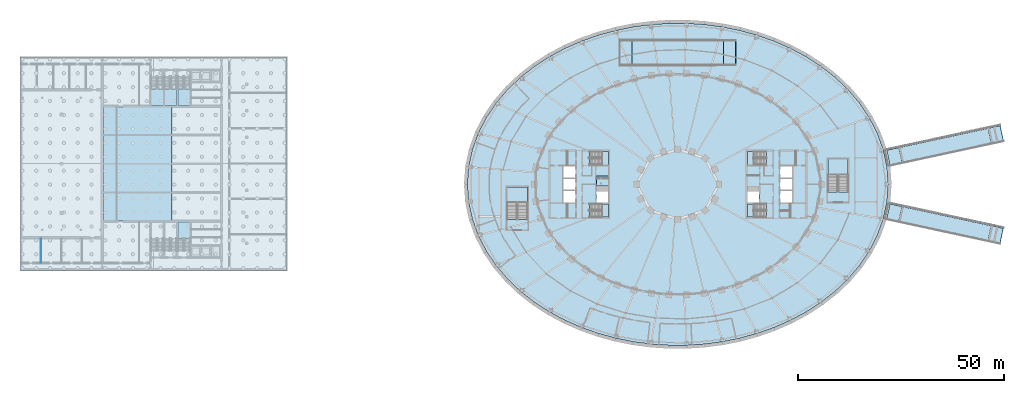
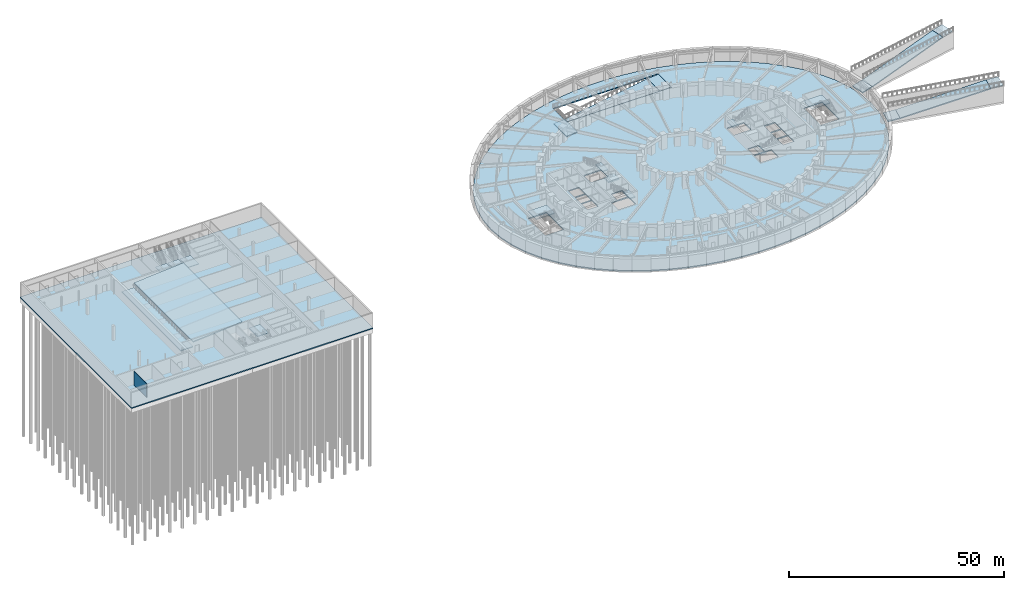
# One storey, part 10 of 32: 24 slabs, 1 wall, 10 elements without a shape of their own.
"""IFC4 building model written with IfcOpenShell, lengths in metres."""

import ifcopenshell
import ifcopenshell.guid

model = None  # the IFC model being written
_history = None  # IfcOwnerHistory: only IFC2X3 demands one
_inside = {}  # id of a spatial element -> (the spatial element, [elements in it])
_under = {}  # id of a project, library or spatial element -> (it, [spatial elements below it])
_declared = {}  # id of a project -> (the project, [libraries it declares])
_typed = {}  # id of a type object -> (the type object, [elements of that type])
_made_of = {}  # id of a material, layer set ... -> (it, [elements and type objects made of it])


def new_model(schema):
    """Start an empty IFC model of exactly this schema.

    Asked for "IFC4X3", IfcOpenShell would pick the latest addendum, in which some entities
    have other attributes; the version numbers below select the first issue.
    IFC2X3 requires an IfcOwnerHistory on every rooted entity: one is made here for all.
    """
    global model, _history
    if schema == "IFC4X3":
        model = ifcopenshell.file(schema_version=(4, 3, 0, 0))
    else:
        model = ifcopenshell.file(schema=schema)
    _inside.clear()
    _under.clear()
    _declared.clear()
    _typed.clear()
    _made_of.clear()
    _history = None
    if model.schema == "IFC2X3":
        org = make("IfcOrganization", Name="unknown")
        user = make(
            "IfcPersonAndOrganization",
            ThePerson=make("IfcPerson", FamilyName="unknown"),
            TheOrganization=org,
        )
        app = make(
            "IfcApplication",
            ApplicationDeveloper=org,
            Version="unknown",
            ApplicationFullName="unknown",
            ApplicationIdentifier="unknown",
        )
        _history = make(
            "IfcOwnerHistory",
            OwningUser=user,
            OwningApplication=app,
            ChangeAction="ADDED",
            CreationDate=0,
        )
    return model


def make(cls, **values):
    """One entity of the class cls with the attributes given. An attribute that is None is left unset."""
    return model.create_entity(
        cls, **{name: value for name, value in values.items() if value is not None}
    )


def rooted(cls, **values):
    """An entity with a GlobalId (a new one), such as an element, a storey or a relation."""
    return make(cls, GlobalId=ifcopenshell.guid.new(), OwnerHistory=_history, **values)


def si_unit(unit_type, name, prefix=None):
    """IfcSIUnit, for example si_unit("LENGTHUNIT", "METRE", prefix="MILLI")."""
    return make("IfcSIUnit", UnitType=unit_type, Prefix=prefix, Name=name)


def assignment(units):
    """IfcUnitAssignment: the units of a project."""
    return None if units is None else make("IfcUnitAssignment", Units=units)


def point(xyz):
    """IfcCartesianPoint."""
    return None if xyz is None else make("IfcCartesianPoint", Coordinates=xyz)


def direction(xyz):
    """IfcDirection."""
    return None if xyz is None else make("IfcDirection", DirectionRatios=xyz)


def frame(location, z_axis=None, x_axis=None):
    """IfcAxis2Placement3D, a coordinate frame: its origin and axes. An axis left out is left unset."""
    return make(
        "IfcAxis2Placement3D",
        Location=point(location),
        Axis=direction(z_axis),
        RefDirection=direction(x_axis),
    )


def frame_2d(location, x_axis=None):
    """IfcAxis2Placement2D, a coordinate frame in the plane: its origin and x axis."""
    return make(
        "IfcAxis2Placement2D", Location=point(location), RefDirection=direction(x_axis)
    )


def origin():
    """The frame at (0, 0, 0) with its axes left unset."""
    return frame((0.0, 0.0, 0.0))


def place(relative_to, where):
    """IfcLocalPlacement: puts the frame where relative to a parent placement (None: the world)."""
    return make(
        "IfcLocalPlacement", PlacementRelTo=relative_to, RelativePlacement=where
    )


def context(
    kind, dimensions, precision=None, world=None, true_north=None, identifier=None
):
    """IfcGeometricRepresentationContext, for example the 3D "Model" context."""
    return make(
        "IfcGeometricRepresentationContext",
        ContextIdentifier=identifier,
        ContextType=kind,
        CoordinateSpaceDimension=dimensions,
        Precision=precision,
        WorldCoordinateSystem=world,
        TrueNorth=true_north,
    )


def subcontext(parent, identifier, kind, view, scale=None):
    """IfcGeometricRepresentationSubContext, for example "Body" below "Model"."""
    return make(
        "IfcGeometricRepresentationSubContext",
        ContextIdentifier=identifier,
        ContextType=kind,
        ParentContext=parent,
        TargetScale=scale,
        TargetView=view,
    )


def project(units=None, contexts=None):
    """IfcProject with its units and contexts."""
    return rooted(
        "IfcProject",
        Name="project",
        RepresentationContexts=contexts,
        UnitsInContext=assignment(units),
    )


def spatial(cls, under=None, at=None, **own):
    """A site, building, storey or space (cls), placed at a placement, below another one or the project."""
    s = rooted(cls, ObjectPlacement=at, **own)
    if under is not None:
        _under.setdefault(under.id(), (under, []))[1].append(s)
    return s


def polyline(points):
    """IfcPolyline through the points."""
    return make("IfcPolyline", Points=[point(p) for p in points])


def profile(cls, at=None, kind="AREA", **sizes):
    """A parametric profile (cls). Its sizes go by their IFC names, for example OverallWidth=200.0."""
    return make(cls, ProfileType=kind, Position=at, **sizes)


def rectangle(**sizes):
    """IfcRectangleProfileDef."""
    return profile("IfcRectangleProfileDef", **sizes)


def outline(outer, holes=None, kind="AREA"):
    """IfcArbitraryClosedProfileDef: a profile drawn as a closed curve; with holes, ...WithVoids."""
    if holes is None:
        return make("IfcArbitraryClosedProfileDef", ProfileType=kind, OuterCurve=outer)
    return make(
        "IfcArbitraryProfileDefWithVoids",
        ProfileType=kind,
        OuterCurve=outer,
        InnerCurves=holes,
    )


def extrude(swept, where, along, depth):
    """IfcExtrudedAreaSolid: the profile swept, set in the frame where, extruded along a direction by depth."""
    return make(
        "IfcExtrudedAreaSolid",
        SweptArea=swept,
        Position=where,
        ExtrudedDirection=direction(along),
        Depth=depth,
    )


def shape(context_of_items, identifier, shape_type, items):
    """IfcShapeRepresentation: the items that make up one representation, for example the "Body"."""
    return make(
        "IfcShapeRepresentation",
        ContextOfItems=context_of_items,
        RepresentationIdentifier=identifier,
        RepresentationType=shape_type,
        Items=items,
    )


def material(Name=None, Category=None):
    """IfcMaterial."""
    return make("IfcMaterial", Name=Name, Category=Category)


def layer(
    of_material, thickness, ventilated=None, Name=None, Category=None, Priority=None
):
    """IfcMaterialLayer: one layer of a wall or slab, of a material (None: an air gap)."""
    return make(
        "IfcMaterialLayer",
        Material=of_material,
        LayerThickness=thickness,
        IsVentilated=ventilated,
        Name=Name,
        Category=Category,
        Priority=Priority,
    )


def layer_set(layers, Name=None):
    """IfcMaterialLayerSet."""
    return make("IfcMaterialLayerSet", MaterialLayers=layers, LayerSetName=Name)


def made_of(thing, what):
    """Note that an element or type object is made of a material, layer set ...; save() writes the relation."""
    if what is not None:
        _made_of.setdefault(what.id(), (what, []))[1].append(thing)
    return thing


def type_object(cls, material=None, **own):
    """A type object (cls), such as IfcWallType, which elements share."""
    return made_of(rooted(cls, **own), material)


def element(
    cls,
    number,
    at=None,
    inside=None,
    cuts=None,
    type_object=None,
    material=None,
    context=None,
    identifier="Body",
    shape_type=None,
    held_by="IfcProductDefinitionShape",
    body=None,
    shapes=None,
    **own,
):
    """One element of the class cls, such as IfcWall. Its Tag is "e" and its number.

    at: its placement. inside: the storey or other place that contains it. cuts: it is an
    opening in that element (IfcRelVoidsElement). A single representation is given by context,
    identifier, shape_type and body (its items); several are given by shapes. held_by: the class
    of the entity that holds the representations. save() writes the other relations.
    """
    e = rooted(cls, Tag="e%d" % number, ObjectPlacement=at, **own)
    if body is not None:
        shapes = [shape(context, identifier, shape_type, body)]
    if shapes is not None:
        e.Representation = make(held_by, Representations=shapes)
    if inside is not None:
        _inside.setdefault(inside.id(), (inside, []))[1].append(e)
    if cuts is not None:
        rooted(
            "IfcRelVoidsElement", RelatingBuildingElement=cuts, RelatedOpeningElement=e
        )
    if type_object is not None:
        _typed.setdefault(type_object.id(), (type_object, []))[1].append(e)
    return made_of(e, material)


def aggregate(whole, parts):
    """IfcRelAggregates: a whole, such as a stair, and the parts it consists of."""
    return rooted("IfcRelAggregates", RelatingObject=whole, RelatedObjects=parts)


def save(model, path):
    """Write the relations noted so far, then the file.

    IfcRelAggregates (storeys below a building ...), IfcRelContainedInSpatialStructure (elements
    in a storey), IfcRelDefinesByType, IfcRelAssociatesMaterial and IfcRelDeclares: one each for
    every whole, place, type object, material and project.
    """
    for whole, parts in _under.values():
        aggregate(whole, parts)
    for where, things in _inside.values():
        rooted(
            "IfcRelContainedInSpatialStructure",
            RelatedElements=things,
            RelatingStructure=where,
        )
    for kind, things in _typed.values():
        rooted("IfcRelDefinesByType", RelatedObjects=things, RelatingType=kind)
    for what, things in _made_of.values():
        rooted("IfcRelAssociatesMaterial", RelatedObjects=things, RelatingMaterial=what)
    for by, libraries in _declared.values():
        rooted("IfcRelDeclares", RelatingContext=by, RelatedDefinitions=libraries)
    model.write(path)


model = new_model("IFC4")

# Units and contexts
model_context = context("Model", 3, precision=1e-05, world=origin(), true_north=direction((0.0, 1.0)))
body_context = subcontext(model_context, "Body", "Model", "MODEL_VIEW")
ifc_project = project(units=[si_unit("LENGTHUNIT", "METRE"), si_unit("AREAUNIT", "SQUARE_METRE"), si_unit("VOLUMEUNIT", "CUBIC_METRE"), si_unit("PLANEANGLEUNIT", "RADIAN"), si_unit("MASSUNIT", "GRAM", prefix="KILO")], contexts=[model_context])

# Site, building, storey
site_placement = place(None, origin())
site = spatial("IfcSite", under=ifc_project, at=site_placement, CompositionType="ELEMENT")
building_placement = place(site_placement, origin())
building = spatial("IfcBuilding", under=site, at=building_placement, Name="Noorbagh Ring Tower", CompositionType="ELEMENT")
storey_placement = place(building_placement, frame((0.0, 0.0, -4.199951171875)))
storey = spatial("IfcBuildingStorey", under=building, at=storey_placement, Name="B1", CompositionType="ELEMENT", Elevation=-4.199951171875)

# Slab
ifc_material_1 = material(Name="Concrete C40/50", Category="concrete")
ifc_layer_1 = layer(ifc_material_1, 0.39990234375)
ifc_layer_set_1 = layer_set([ifc_layer_1], Name="Concrete C40/50")
slab_type_1 = type_object("IfcSlabType", Name="CORE-PIT-SLAB", PredefinedType="BASESLAB", material=ifc_layer_set_1)
slab_1_placement = place(storey_placement, frame((0.0, 0.0, 2.300048828125)))
element("IfcSlab", 1, at=slab_1_placement, inside=storey, type_object=slab_type_1, Name="Lift pit floor OB1", PredefinedType="BASESLAB", context=body_context, shape_type="SweptSolid", body=[
    extrude(outline(polyline([(-16.89990234375, 2.0), (-19.800048828125, 2.0), (-19.800048828125, -0.449951171875), (-16.89990234375, -0.449951171875), (-16.89990234375, 2.0)])), origin(), (0.0, 0.0, 1.0), 0.39990234375),
])

# Stair, slab
ifc_material_2 = material(Name="Concrete C40/50", Category="concrete")
stair_type_1 = type_object("IfcStairType", Name="CORE-STAIR", PredefinedType="HALF_TURN_STAIR", material=ifc_material_2)
stair_1_placement = place(storey_placement, origin())
stair_1 = element("IfcStair", 2, at=stair_1_placement, inside=storey, type_object=stair_type_1, Name="B1 Exit stair ST1", PredefinedType="HALF_TURN_STAIR")
ifc_material_3 = material(Name="Concrete C40/50", Category="concrete")
ifc_layer_2 = layer(ifc_material_3, 0.300048828125)
ifc_layer_set_2 = layer_set([ifc_layer_2], Name="Concrete C40/50")
slab_type_2 = type_object("IfcSlabType", Name="CORE-STAIR-LANDING", PredefinedType="LANDING", material=ifc_layer_set_2)
slab_2_placement = place(storey_placement, frame((0.0, 0.0, 1.800048828125)))
slab_2 = element("IfcSlab", 3, at=slab_2_placement, type_object=slab_type_2, Name="ST1 landing 1", PredefinedType="LANDING", context=body_context, shape_type="SweptSolid", body=[
    extrude(outline(polyline([(-18.449951171875, 4.75), (-16.89990234375, 4.75), (-16.89990234375, 8.0), (-18.449951171875, 8.0), (-18.449951171875, 4.75)])), origin(), (0.0, 0.0, 1.0), 0.2998046875),
])
aggregate(stair_1, [slab_2])

stair_2_placement = place(storey_placement, origin())
stair_2 = element("IfcStair", 4, at=stair_2_placement, inside=storey, type_object=stair_type_1, Name="B1 Exit stair ST2", PredefinedType="HALF_TURN_STAIR")
slab_3_placement = place(storey_placement, frame((0.0, 0.0, 1.800048828125)))
slab_3 = element("IfcSlab", 5, at=slab_3_placement, type_object=slab_type_2, Name="ST2 landing 1", PredefinedType="LANDING", context=body_context, shape_type="SweptSolid", body=[
    extrude(outline(polyline([(-18.449951171875, -8.0), (-16.89990234375, -8.0), (-16.89990234375, -4.75), (-18.449951171875, -4.75), (-18.449951171875, -8.0)])), origin(), (0.0, 0.0, 1.0), 0.2998046875),
])
aggregate(stair_2, [slab_3])

stair_3_placement = place(storey_placement, origin())
stair_3 = element("IfcStair", 6, at=stair_3_placement, inside=storey, type_object=stair_type_1, Name="B1 Exit stair ST3", PredefinedType="HALF_TURN_STAIR")
slab_4_placement = place(storey_placement, frame((0.0, 0.0, 1.800048828125)))
slab_4 = element("IfcSlab", 7, at=slab_4_placement, type_object=slab_type_2, Name="ST3 landing 1", PredefinedType="LANDING", context=body_context, shape_type="SweptSolid", body=[
    extrude(outline(polyline([(18.449951171875, 8.0), (16.89990234375, 8.0), (16.89990234375, 4.75), (18.449951171875, 4.75), (18.449951171875, 8.0)])), origin(), (0.0, 0.0, 1.0), 0.2998046875),
])
aggregate(stair_3, [slab_4])

stair_4_placement = place(storey_placement, origin())
stair_4 = element("IfcStair", 8, at=stair_4_placement, inside=storey, type_object=stair_type_1, Name="B1 Exit stair ST4", PredefinedType="HALF_TURN_STAIR")
slab_5_placement = place(storey_placement, frame((0.0, 0.0, 1.800048828125)))
slab_5 = element("IfcSlab", 9, at=slab_5_placement, type_object=slab_type_2, Name="ST4 landing 1", PredefinedType="LANDING", context=body_context, shape_type="SweptSolid", body=[
    extrude(outline(polyline([(18.449951171875, -4.75), (16.89990234375, -4.75), (16.89990234375, -8.0), (18.449951171875, -8.0), (18.449951171875, -4.75)])), origin(), (0.0, 0.0, 1.0), 0.2998046875),
])
aggregate(stair_4, [slab_5])

# Slabs
ifc_material_4 = material(Name="Concrete C40/50", Category="concrete")
ifc_layer_3 = layer(ifc_material_4, 0.300048828125)
ifc_layer_set_3 = layer_set([ifc_layer_3], Name="Concrete C40/50")
slab_type_3 = type_object("IfcSlabType", Name="GND-RAMP", PredefinedType="FLOOR", material=ifc_layer_set_3)
slab_6_placement = place(storey_placement, frame((14.10009765625, 29.0, 0.0), z_axis=(-0.083045479854, 0.0, 0.996545758245), x_axis=(0.0, 1.0, 0.0)))
element("IfcSlab", 10, at=slab_6_placement, inside=storey, type_object=slab_type_3, Name="Car park vehicle ramp B1 to B2 flight 1", PredefinedType="FLOOR", context=body_context, shape_type="SweptSolid", body=[
    extrude(outline(polyline([(0.0, 0.0), (6.0, 0.0), (6.0, 3.010398644698074), (0.0, 3.010398644698074), (0.0, 0.0)])), origin(), (0.0, 0.0, -1.0), 0.300048828125),
])
slab_7_placement = place(storey_placement, frame((11.10009765625, 29.0, -0.25), z_axis=(-0.164395469162, 0.0, 0.986394510183), x_axis=(0.0, 1.0, 0.0)))
element("IfcSlab", 11, at=slab_7_placement, inside=storey, type_object=slab_type_3, Name="Car park vehicle ramp B1 to B2 flight 2", PredefinedType="FLOOR", context=body_context, shape_type="SweptSolid", body=[
    extrude(outline(polyline([(0.0, 0.0), (6.0, 0.0), (6.0, 22.506405990015512), (0.0, 22.506405990015512), (0.0, 0.0)])), origin(), (0.0, 0.0, -1.0), 0.300048828125),
])
slab_8_placement = place(storey_placement, frame((-11.10009765625, 29.0, -3.949951171875), z_axis=(-0.083045479854, 0.0, 0.996545758245), x_axis=(0.0, 1.0, 0.0)))
element("IfcSlab", 12, at=slab_8_placement, inside=storey, type_object=slab_type_3, Name="Car park vehicle ramp B1 to B2 flight 3", PredefinedType="FLOOR", context=body_context, shape_type="SweptSolid", body=[
    extrude(outline(polyline([(0.0, 0.0), (6.0, 0.0), (6.0, 3.010398644698074), (0.0, 3.010398644698074), (0.0, 0.0)])), origin(), (0.0, 0.0, -1.0), 0.300048828125),
])

# Stair, slab
ifc_material_5 = material(Name="Concrete C40/50", Category="concrete")
stair_type_2 = type_object("IfcStairType", Name="GND-STAIR", PredefinedType="HALF_TURN_STAIR", material=ifc_material_5)
stair_5_placement = place(storey_placement, origin())
stair_5 = element("IfcStair", 13, at=stair_5_placement, inside=storey, type_object=stair_type_2, Name="B1 exit stair ST-P1", PredefinedType="HALF_TURN_STAIR")
ifc_material_6 = material(Name="Concrete C40/50", Category="concrete")
ifc_layer_4 = layer(ifc_material_6, 0.25)
ifc_layer_set_4 = layer_set([ifc_layer_4], Name="Concrete C40/50")
slab_type_4 = type_object("IfcSlabType", Name="GND-STAIR-LANDING", PredefinedType="LANDING", material=ifc_layer_set_4)
slab_9_placement = place(storey_placement, frame((0.0, 0.0, 1.849853515625)))
slab_9 = element("IfcSlab", 14, at=slab_9_placement, type_object=slab_type_4, Name="ST-P1 landing 1", PredefinedType="LANDING", context=body_context, shape_type="SweptSolid", body=[
    extrude(outline(polyline([(-36.550048828125, -4.39990234375), (-36.550048828125, -0.60009765625), (-41.5, -0.60009765625), (-41.5, -4.39990234375), (-36.550048828125, -4.39990234375)])), origin(), (0.0, 0.0, 1.0), 0.25),
])
aggregate(stair_5, [slab_9])

stair_6_placement = place(storey_placement, origin())
stair_6 = element("IfcStair", 15, at=stair_6_placement, inside=storey, type_object=stair_type_2, Name="B1 exit stair ST-P2", PredefinedType="HALF_TURN_STAIR")
slab_10_placement = place(storey_placement, frame((0.0, 0.0, 1.849853515625)))
slab_10 = element("IfcSlab", 16, at=slab_10_placement, type_object=slab_type_4, Name="ST-P2 landing 1", PredefinedType="LANDING", context=body_context, shape_type="SweptSolid", body=[
    extrude(outline(polyline([(41.449951171875, 2.300048828125), (41.449951171875, 6.10009765625), (36.5, 6.10009765625), (36.5, 2.300048828125), (41.449951171875, 2.300048828125)])), origin(), (0.0, 0.0, 1.0), 0.25),
])
aggregate(stair_6, [slab_10])

# Slabs
ifc_material_7 = material(Name="Concrete C40/50", Category="concrete")
ifc_layer_5 = layer(ifc_material_7, 0.300048828125)
ifc_layer_set_5 = layer_set([ifc_layer_5], Name="Concrete C40/50")
slab_type_5 = type_object("IfcSlabType", Name="GND-STREET-RAMP-ENTRY", PredefinedType="FLOOR", material=ifc_layer_set_5)
slab_11_placement = place(storey_placement, frame((51.603271484375, 4.771240234375, 0.0), z_axis=(-0.081183922926, -0.017493306366, 0.996545611044), x_axis=(-0.210649757184, 0.977561598979, -5.91151e-07)))
element("IfcSlab", 17, at=slab_11_placement, inside=storey, type_object=slab_type_5, Name="Street vehicle ramp entry flight 1", PredefinedType="FLOOR", context=body_context, shape_type="SweptSolid", body=[
    extrude(outline(polyline([(0.0, 0.0), (3.5998171468490745, 0.0), (3.5999591124567756, -3.0103602398092026), (-9.669689204988055e-05, -3.0103089892869908), (0.0, 0.0)])), origin(), (0.0, 0.0, -1.0), 0.300048828125),
])
slab_12_placement = place(storey_placement, frame((54.535888671875, 5.403076171875, 0.25), z_axis=(-0.160708905265, -0.03462794726, 0.986394217865), x_axis=(-0.210635840479, 0.977564597715, 0.0)))
element("IfcSlab", 18, at=slab_12_placement, inside=storey, type_object=slab_type_5, Name="Street vehicle ramp entry flight 2", PredefinedType="FLOOR", context=body_context, shape_type="SweptSolid", body=[
    extrude(outline(polyline([(0.0, 0.0), (3.600055809714261, 0.0), (3.599973838041631, -22.506165871423566), (-8.197167263013228e-05, -22.50616587142357), (0.0, 0.0)])), origin(), (0.0, 0.0, -1.0), 0.300048828125),
])
slab_13_placement = place(storey_placement, frame((76.23779296875, 10.0791015625, 3.949951171875), z_axis=(-0.081178325166, -0.017491493442, 0.996546098874), x_axis=(-0.210635840479, 0.977564597715, 0.0)))
element("IfcSlab", 19, at=slab_13_placement, inside=storey, type_object=slab_type_5, Name="Street vehicle ramp entry flight 3", PredefinedType="FLOOR", context=body_context, shape_type="SweptSolid", body=[
    extrude(outline(polyline([(0.0, 0.0), (3.600055809714261, 1.1102230246251565e-16), (3.599950542920769, -3.0105468292067052), (-0.00010526679349232015, -3.0105468292067057), (0.0, 0.0)])), origin(), (0.0, 0.0, -1.0), 0.300048828125),
])
ifc_material_8 = material(Name="Concrete C40/50", Category="concrete")
ifc_layer_6 = layer(ifc_material_8, 0.300048828125)
ifc_layer_set_6 = layer_set([ifc_layer_6], Name="Concrete C40/50")
slab_type_6 = type_object("IfcSlabType", Name="GND-STREET-RAMP-EXIT", PredefinedType="FLOOR", material=ifc_layer_set_6)
slab_14_placement = place(storey_placement, frame((50.844970703125, -8.290283203125, 0.0), z_axis=(-0.081183922926, 0.017493306366, 0.996545611044), x_axis=(0.210649757184, 0.977561598979, 5.91151e-07)))
element("IfcSlab", 20, at=slab_14_placement, inside=storey, type_object=slab_type_6, Name="Street vehicle ramp exit flight 1", PredefinedType="FLOOR", context=body_context, shape_type="SweptSolid", body=[
    extrude(outline(polyline([(0.0, 0.0), (3.5998171468490745, 0.0), (3.5999138437411244, -3.0103089892869908), (-0.0001419656077008053, -3.0103602398092026), (0.0, 0.0)])), origin(), (0.0, 0.0, -1.0), 0.300048828125),
])
slab_15_placement = place(storey_placement, frame((53.777587890625, -8.92236328125, 0.25), z_axis=(-0.160708905265, 0.03462794726, 0.986394217865), x_axis=(0.210635840479, 0.977564597715, 0.0)))
element("IfcSlab", 21, at=slab_15_placement, inside=storey, type_object=slab_type_6, Name="Street vehicle ramp exit flight 2", PredefinedType="FLOOR", context=body_context, shape_type="SweptSolid", body=[
    extrude(outline(polyline([(0.0, 0.0), (3.600055809714261, 0.0), (3.6001377813868913, -22.50616587142357), (8.197167263013228e-05, -22.50616587142357), (0.0, 0.0)])), origin(), (0.0, 0.0, -1.0), 0.300048828125),
])
slab_16_placement = place(storey_placement, frame((75.4794921875, -13.598388671875, 3.949951171875), z_axis=(-0.081178325166, 0.017491493442, 0.996546098874), x_axis=(0.210635840479, 0.977564597715, 0.0)))
element("IfcSlab", 22, at=slab_16_placement, inside=storey, type_object=slab_type_6, Name="Street vehicle ramp exit flight 3", PredefinedType="FLOOR", context=body_context, shape_type="SweptSolid", body=[
    extrude(outline(polyline([(0.0, 0.0), (3.600055809714261, -1.1102230246251565e-16), (3.600161076507754, -3.0105468292067052), (0.00010526679349232015, -3.0105468292067057), (0.0, 0.0)])), origin(), (0.0, 0.0, -1.0), 0.300048828125),
])
ifc_material_9 = material(Name="Concrete C40/50", Category="concrete")
ifc_layer_7 = layer(ifc_material_9, 0.300048828125)
ifc_layer_set_7 = layer_set([ifc_layer_7], Name="Concrete C40/50")
slab_type_7 = type_object("IfcSlabType", Name="STR-SLAB-ON-GROUND-300", PredefinedType="BASESLAB", material=ifc_layer_set_7)
slab_17_placement = place(storey_placement, frame((0.0, 0.0, -0.300048828125)))
element("IfcSlab", 23, at=slab_17_placement, inside=storey, type_object=slab_type_7, Name="B1/slab/1", PredefinedType="BASESLAB", context=body_context, shape_type="SweptSolid", body=[
    extrude(outline(polyline([(51.197998046875, 0.0), (50.89306640625, 4.26953125), (49.99072265625, 8.456787109375), (48.527099609375, 12.48779296875), (46.5546875, 16.30322265625), (44.1337890625, 19.85986328125), (41.32666015625, 23.1298828125), (38.192138671875, 26.097412109375), (34.783935546875, 28.755615234375), (31.1484375, 31.103515625), (27.326904296875, 33.1435546875), (23.35400390625, 34.8798828125), (19.26025390625, 36.317138671875), (15.07275390625, 37.460693359375), (10.814697265625, 38.314208984375), (6.5078125, 38.88134765625), (2.17236328125, 39.164306640625), (-2.17236328125, 39.164306640625), (-6.5078125, 38.88134765625), (-10.814697265625, 38.314208984375), (-15.07275390625, 37.460693359375), (-19.26025390625, 36.317138671875), (-23.35400390625, 34.8798828125), (-27.326904296875, 33.1435546875), (-31.1484375, 31.103515625), (-34.783935546875, 28.755615234375), (-38.192138671875, 26.097412109375), (-41.32666015625, 23.1298828125), (-44.1337890625, 19.85986328125), (-46.5546875, 16.30322265625), (-48.527099609375, 12.48779296875), (-49.99072265625, 8.456787109375), (-50.89306640625, 4.26953125), (-51.197998046875, 0.0), (-50.89306640625, -4.26953125), (-49.99072265625, -8.456787109375), (-48.527099609375, -12.48779296875), (-46.5546875, -16.30322265625), (-44.1337890625, -19.85986328125), (-41.32666015625, -23.1298828125), (-38.192138671875, -26.097412109375), (-34.783935546875, -28.755615234375), (-31.1484375, -31.103515625), (-27.326904296875, -33.1435546875), (-23.35400390625, -34.8798828125), (-19.26025390625, -36.317138671875), (-15.07275390625, -37.460693359375), (-10.814697265625, -38.314208984375), (-6.5078125, -38.88134765625), (-2.17236328125, -39.164306640625), (2.17236328125, -39.164306640625), (6.5078125, -38.88134765625), (10.814697265625, -38.314208984375), (15.07275390625, -37.460693359375), (19.26025390625, -36.317138671875), (23.35400390625, -34.8798828125), (27.326904296875, -33.1435546875), (31.1484375, -31.103515625), (34.783935546875, -28.755615234375), (38.192138671875, -26.097412109375), (41.32666015625, -23.1298828125), (44.1337890625, -19.85986328125), (46.5546875, -16.30322265625), (48.527099609375, -12.48779296875), (49.99072265625, -8.456787109375), (50.89306640625, -4.26953125), (51.197998046875, 0.0)]), holes=[polyline([(36.5, -1.8994140625), (36.5, 6.10009765625), (41.449951171875, 6.10009765625), (41.449951171875, -1.8994140625), (36.5, -1.8994140625)]), polyline([(24.89990234375, -1.60009765625), (27.800048828125, -1.60009765625), (27.800048828125, -4.449951171875), (24.89990234375, -4.449951171875), (24.89990234375, -1.60009765625)]), polyline([(24.89990234375, 1.35009765625), (27.800048828125, 1.35009765625), (27.800048828125, -1.35009765625), (24.89990234375, -1.35009765625), (24.89990234375, 1.35009765625)]), polyline([(24.89990234375, 4.449951171875), (27.800048828125, 4.449951171875), (27.800048828125, 1.60009765625), (24.89990234375, 1.60009765625), (24.89990234375, 4.449951171875)]), polyline([(21.529541015625, -8.0), (16.89990234375, -8.0), (16.89990234375, -4.75), (21.529541015625, -4.75), (21.529541015625, -8.0)]), polyline([(21.529541015625, 4.75), (16.89990234375, 4.75), (16.89990234375, 8.0), (21.529541015625, 8.0), (21.529541015625, 4.75)]), polyline([(16.89990234375, -1.699951171875), (19.800048828125, -1.699951171875), (19.800048828125, -4.449951171875), (16.89990234375, -4.449951171875), (16.89990234375, -1.699951171875)]), polyline([(-14.10009765625, 35.14990234375), (14.10009765625, 35.14990234375), (14.10009765625, 28.85009765625), (-14.10009765625, 28.85009765625), (-14.10009765625, 35.14990234375)]), polyline([(-21.529541015625, -8.0), (-21.529541015625, -4.75), (-16.89990234375, -4.75), (-16.89990234375, -8.0), (-21.529541015625, -8.0)]), polyline([(-21.529541015625, 8.0), (-16.89990234375, 8.0), (-16.89990234375, 4.75), (-21.529541015625, 4.75), (-21.529541015625, 8.0)]), polyline([(-16.89990234375, -4.449951171875), (-19.800048828125, -4.449951171875), (-19.800048828125, -1.699951171875), (-16.89990234375, -1.699951171875), (-16.89990234375, -4.449951171875)]), polyline([(-24.89990234375, -4.449951171875), (-27.800048828125, -4.449951171875), (-27.800048828125, -1.60009765625), (-24.89990234375, -1.60009765625), (-24.89990234375, -4.449951171875)]), polyline([(-24.89990234375, -1.35009765625), (-27.800048828125, -1.35009765625), (-27.800048828125, 1.35009765625), (-24.89990234375, 1.35009765625), (-24.89990234375, -1.35009765625)]), polyline([(-24.89990234375, 1.60009765625), (-27.800048828125, 1.60009765625), (-27.800048828125, 4.449951171875), (-24.89990234375, 4.449951171875), (-24.89990234375, 1.60009765625)]), polyline([(-41.5, -8.599609375), (-41.5, -0.60009765625), (-36.550048828125, -0.60009765625), (-36.550048828125, -8.599609375), (-41.5, -8.599609375)])]), origin(), (0.0, 0.0, 1.0), 0.300048828125),
])
ifc_material_10 = material(Name="Concrete C40/50", Category="concrete")
ifc_layer_8 = layer(ifc_material_10, 0.300048828125)
ifc_layer_set_8 = layer_set([ifc_layer_8], Name="Concrete C40/50")
slab_type_8 = type_object("IfcSlabType", Name="TH-SLAB-FLOOR", PredefinedType="FLOOR", material=ifc_layer_set_8)
slab_18_placement = place(storey_placement, frame((0.0, 0.0, -0.300048828125)))
element("IfcSlab", 24, at=slab_18_placement, inside=storey, type_object=slab_type_8, Name="Basement floor slab", PredefinedType="FLOOR", context=body_context, shape_type="SweptSolid", body=[
    extrude(outline(polyline([(-160.0, -21.0), (-95.0, -21.0), (-95.0, 31.0), (-160.0, 31.0), (-160.0, -21.0)])), origin(), (0.0, 0.0, 1.0), 0.300048828125),
])
ifc_material_11 = material(Name="Concrete C40/50", Category="concrete")
ifc_layer_9 = layer(ifc_material_11, 0.300048828125)
ifc_layer_set_9 = layer_set([ifc_layer_9], Name="Concrete C40/50")
slab_type_9 = type_object("IfcSlabType", Name="TH-SLAB-TERRACE", PredefinedType="FLOOR", material=ifc_layer_set_9)
slab_19_placement = place(storey_placement, frame((0.0, 0.0, 1.5)))
element("IfcSlab", 25, at=slab_19_placement, inside=storey, type_object=slab_type_9, Name="Orchestra pit floor", PredefinedType="FLOOR", context=body_context, shape_type="SweptSolid", body=[
    extrude(outline(polyline([(-139.699951171875, -8.800048828125), (-136.39990234375, -8.800048828125), (-136.39990234375, 18.800048828125), (-139.699951171875, 18.800048828125), (-139.699951171875, -8.800048828125)])), origin(), (0.0, 0.0, 1.0), 0.300048828125),
])
slab_20_placement = place(storey_placement, frame((-136.39990234375, -8.800048828125, 3.14990234375), z_axis=(-0.078707271317, 0.0, 0.996897770808), x_axis=(0.996897770808, 0.0, 0.078707271317)))
element("IfcSlab", 26, at=slab_20_placement, inside=storey, type_object=slab_type_9, Name="Stalls raked slab", PredefinedType="FLOOR", context=body_context, shape_type="SweptSolid", body=[
    extrude(outline(polyline([(0.0, 0.0), (13.341192123161022, 0.0), (13.341192123161022, 27.60009765625), (0.0, 27.60009765625), (0.0, 0.0)])), origin(), (0.0, 0.0, -1.0), 0.300048828125),
])

# Stair, slab
ifc_material_12 = material(Name="Concrete C40/50", Category="concrete")
stair_type_3 = type_object("IfcStairType", Name="TH-STAIR", PredefinedType="HALF_TURN_STAIR", material=ifc_material_12)
stair_7_placement = place(storey_placement, origin())
stair_7 = element("IfcStair", 27, at=stair_7_placement, inside=storey, type_object=stair_type_3, Name="B1 Exit stair S2", PredefinedType="HALF_TURN_STAIR")
ifc_material_13 = material(Name="Concrete C40/50", Category="concrete")
ifc_layer_10 = layer(ifc_material_13, 0.199951171875)
ifc_layer_set_10 = layer_set([ifc_layer_10], Name="Concrete C40/50")
slab_type_10 = type_object("IfcSlabType", Name="TH-STAIR-LANDING", PredefinedType="LANDING", material=ifc_layer_set_10)
slab_21_placement = place(storey_placement, frame((0.0, 0.0, 1.89990234375)))
slab_21 = element("IfcSlab", 28, at=slab_21_placement, type_object=slab_type_10, Name="TSS2 landing 1", PredefinedType="LANDING", context=body_context, shape_type="SweptSolid", body=[
    extrude(outline(polyline([(-118.64990234375, -13.169921875), (-118.64990234375, -9.199951171875), (-121.60009765625, -9.199951171875), (-121.60009765625, -13.169921875), (-118.64990234375, -13.169921875)])), origin(), (0.0, 0.0, 1.0), 0.199951171875),
])
aggregate(stair_7, [slab_21])

stair_8_placement = place(storey_placement, origin())
stair_8 = element("IfcStair", 29, at=stair_8_placement, inside=storey, type_object=stair_type_3, Name="B1 Exit stair N1", PredefinedType="HALF_TURN_STAIR")
slab_22_placement = place(storey_placement, frame((0.0, 0.0, 1.89990234375)))
slab_22 = element("IfcSlab", 30, at=slab_22_placement, type_object=slab_type_10, Name="TSN1 landing 1", PredefinedType="LANDING", context=body_context, shape_type="SweptSolid", body=[
    extrude(outline(polyline([(-124.85009765625, 23.169921875), (-124.85009765625, 19.199951171875), (-121.89990234375, 19.199951171875), (-121.89990234375, 23.169921875), (-124.85009765625, 23.169921875)])), origin(), (0.0, 0.0, 1.0), 0.199951171875),
])
aggregate(stair_8, [slab_22])

stair_9_placement = place(storey_placement, origin())
stair_9 = element("IfcStair", 31, at=stair_9_placement, inside=storey, type_object=stair_type_3, Name="B1 Exit stair N2", PredefinedType="HALF_TURN_STAIR")
slab_23_placement = place(storey_placement, frame((0.0, 0.0, 1.89990234375)))
slab_23 = element("IfcSlab", 32, at=slab_23_placement, type_object=slab_type_10, Name="TSN2 landing 1", PredefinedType="LANDING", context=body_context, shape_type="SweptSolid", body=[
    extrude(outline(polyline([(-121.60009765625, 23.169921875), (-121.60009765625, 19.199951171875), (-118.64990234375, 19.199951171875), (-118.64990234375, 23.169921875), (-121.60009765625, 23.169921875)])), origin(), (0.0, 0.0, 1.0), 0.199951171875),
])
aggregate(stair_9, [slab_23])

stair_10_placement = place(storey_placement, origin())
stair_10 = element("IfcStair", 33, at=stair_10_placement, inside=storey, type_object=stair_type_3, Name="B1 Exit stair N3", PredefinedType="HALF_TURN_STAIR")
slab_24_placement = place(storey_placement, frame((0.0, 0.0, 1.89990234375)))
slab_24 = element("IfcSlab", 34, at=slab_24_placement, type_object=slab_type_10, Name="TSN3 landing 1", PredefinedType="LANDING", context=body_context, shape_type="SweptSolid", body=[
    extrude(outline(polyline([(-128.10009765625, 23.169921875), (-128.10009765625, 19.199951171875), (-125.14990234375, 19.199951171875), (-125.14990234375, 23.169921875), (-128.10009765625, 23.169921875)])), origin(), (0.0, 0.0, 1.0), 0.199951171875),
])
aggregate(stair_10, [slab_24])

# Wall
ifc_material_14 = material(Name="Gypsum board on steel studs", Category="steel")
ifc_layer_11 = layer(ifc_material_14, 0.10009765625)
ifc_layer_set_11 = layer_set([ifc_layer_11], Name="Gypsum board on steel studs")
wall_type = type_object("IfcWallType", Name="TH-PART-100", PredefinedType="PARTITIONING", material=ifc_layer_set_11)
wall_placement = place(storey_placement, frame((-154.85009765625, -19.125, 0.0), z_axis=(0.0, 0.0, 1.0), x_axis=(0.0, 1.0, 0.0)))
element("IfcWall", 35, at=wall_placement, inside=storey, type_object=wall_type, Name="B1/th-wall/042", PredefinedType="PARTITIONING", context=body_context, shape_type="SweptSolid", body=[
    extrude(rectangle(XDim=5.925048828125, YDim=0.10009765625, at=frame_2d((2.96240234375, 0.0))), origin(), (0.0, 0.0, 1.0), 3.89990234375),
])

save(model, "model.ifc")
